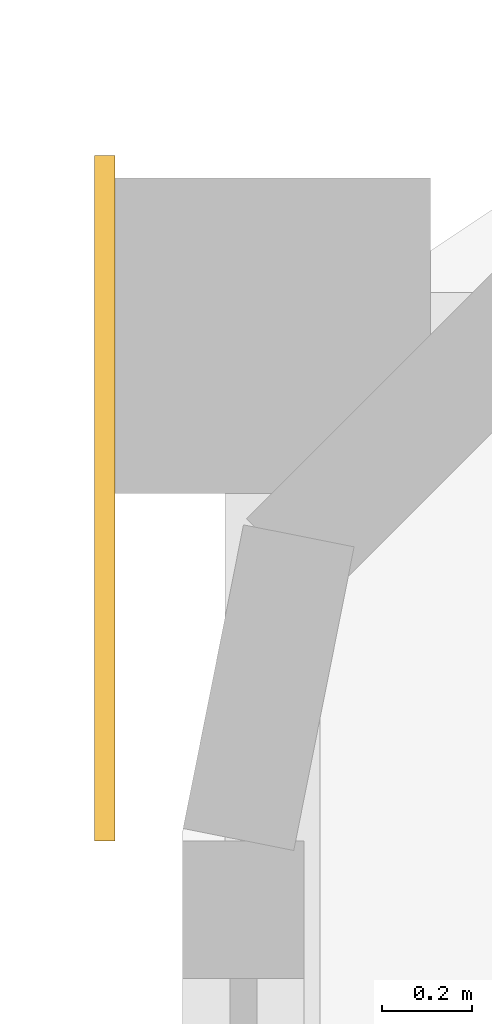
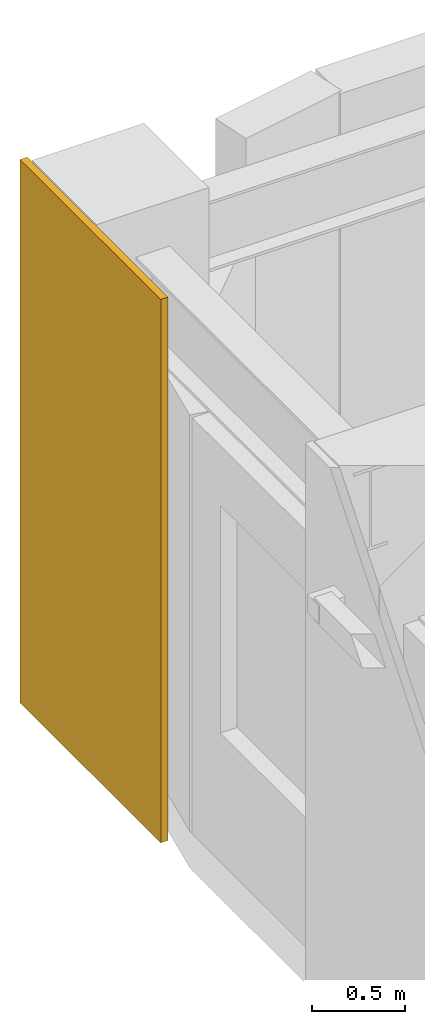
# One storey, part 11 of 11: 1 covering.
"""IFC4 building model written with IfcOpenShell, lengths in metres."""

from ifc_helpers import new_model, si_unit, direction, frame, origin, origin_2d, place, context, subcontext, project, spatial, rectangle, extrude, material, layer, layer_set, type_object, element, save


model = new_model("IFC4")

# Units and contexts
model_context = context("Model", 3, precision=1e-05, world=origin(), true_north=direction((0.0, 1.0)))
body_context = subcontext(model_context, "Body", "Model", "MODEL_VIEW")
ifc_project = project(units=[si_unit("LENGTHUNIT", "METRE"), si_unit("AREAUNIT", "SQUARE_METRE"), si_unit("VOLUMEUNIT", "CUBIC_METRE"), si_unit("PLANEANGLEUNIT", "RADIAN"), si_unit("MASSUNIT", "GRAM", prefix="KILO")], contexts=[model_context])

# Site, building, storey
site_placement = place(None, origin())
site = spatial("IfcSite", under=ifc_project, at=site_placement, CompositionType="ELEMENT")
building_placement = place(site_placement, origin())
building = spatial("IfcBuilding", under=site, at=building_placement, Name="Ochreholt Gables", CompositionType="ELEMENT")
storey_placement = place(building_placement, frame((0.0, 0.0, 278.39990234375)))
storey = spatial("IfcBuildingStorey", under=building, at=storey_placement, Name="L73", CompositionType="ELEMENT", Elevation=278.39990234375)

# Covering
ifc_material = material(Name="Glazed Ochre Terracotta Rainscreen Cladding", Category="masonry")
ifc_layer = layer(ifc_material, 0.044921875, Name="Glazed Ochre Terracotta Rainscreen Cladding")
ifc_layer_set = layer_set([ifc_layer], Name="Glazed Ochre Terracotta Rainscreen Cladding")
covering_type = type_object("IfcCoveringType", Name="COV-CLAD-TC", PredefinedType="CLADDING", material=ifc_layer_set)
covering_placement = place(storey_placement, frame((23.827880859375, 41.43994140625, 0.010009765625), z_axis=(0.0, 0.0, 1.0), x_axis=(0.0, 1.0, 0.0)))
element("IfcCovering", 1, at=covering_placement, inside=storey, type_object=covering_type, Name="L73 North-West Pier Terracotta Cladding", PredefinedType="CLADDING", context=body_context, shape_type="SweptSolid", body=[
    extrude(rectangle(XDim=1.52001953125, YDim=0.044921875, at=origin_2d()), origin(), (0.0, 0.0, 1.0), 3.580078125),
])

save(model, "model.ifc")
